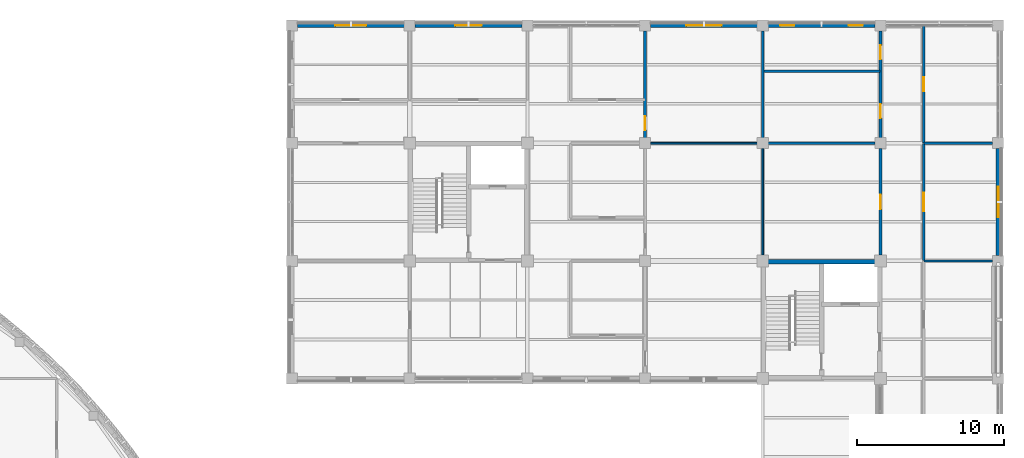
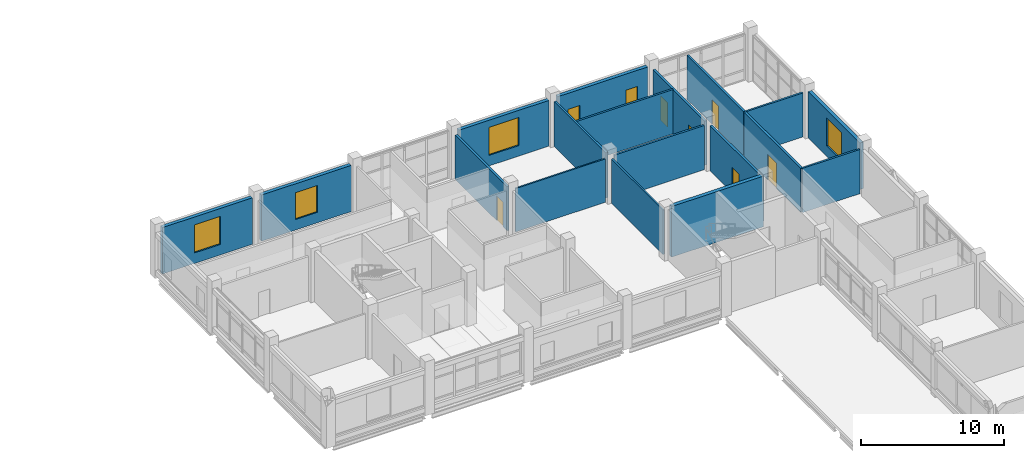
# One storey, part 97 of 121: 18 walls, 6 doors, 6 windows, 12 openings.
"""IFC4 building model written with IfcOpenShell, lengths in metres."""

import ifcopenshell
import ifcopenshell.guid

model = None  # the IFC model being written
_history = None  # IfcOwnerHistory: only IFC2X3 demands one
_inside = {}  # id of a spatial element -> (the spatial element, [elements in it])
_under = {}  # id of a project, library or spatial element -> (it, [spatial elements below it])
_declared = {}  # id of a project -> (the project, [libraries it declares])
_typed = {}  # id of a type object -> (the type object, [elements of that type])
_made_of = {}  # id of a material, layer set ... -> (it, [elements and type objects made of it])


def new_model(schema):
    """Start an empty IFC model of exactly this schema.

    Asked for "IFC4X3", IfcOpenShell would pick the latest addendum, in which some entities
    have other attributes; the version numbers below select the first issue.
    IFC2X3 requires an IfcOwnerHistory on every rooted entity: one is made here for all.
    """
    global model, _history
    if schema == "IFC4X3":
        model = ifcopenshell.file(schema_version=(4, 3, 0, 0))
    else:
        model = ifcopenshell.file(schema=schema)
    _inside.clear()
    _under.clear()
    _declared.clear()
    _typed.clear()
    _made_of.clear()
    _history = None
    if model.schema == "IFC2X3":
        org = make("IfcOrganization", Name="unknown")
        user = make(
            "IfcPersonAndOrganization",
            ThePerson=make("IfcPerson", FamilyName="unknown"),
            TheOrganization=org,
        )
        app = make(
            "IfcApplication",
            ApplicationDeveloper=org,
            Version="unknown",
            ApplicationFullName="unknown",
            ApplicationIdentifier="unknown",
        )
        _history = make(
            "IfcOwnerHistory",
            OwningUser=user,
            OwningApplication=app,
            ChangeAction="ADDED",
            CreationDate=0,
        )
    return model


def make(cls, **values):
    """One entity of the class cls with the attributes given. An attribute that is None is left unset."""
    return model.create_entity(
        cls, **{name: value for name, value in values.items() if value is not None}
    )


def rooted(cls, **values):
    """An entity with a GlobalId (a new one), such as an element, a storey or a relation."""
    return make(cls, GlobalId=ifcopenshell.guid.new(), OwnerHistory=_history, **values)


def si_unit(unit_type, name, prefix=None):
    """IfcSIUnit, for example si_unit("LENGTHUNIT", "METRE", prefix="MILLI")."""
    return make("IfcSIUnit", UnitType=unit_type, Prefix=prefix, Name=name)


def derived_unit(unit_type, elements):
    """IfcDerivedUnit: a product of units, each with its exponent."""
    return make(
        "IfcDerivedUnit",
        Elements=[
            make("IfcDerivedUnitElement", Unit=unit, Exponent=power)
            for unit, power in elements
        ],
        UnitType=unit_type,
    )


def assignment(units):
    """IfcUnitAssignment: the units of a project."""
    return None if units is None else make("IfcUnitAssignment", Units=units)


def point(xyz):
    """IfcCartesianPoint."""
    return None if xyz is None else make("IfcCartesianPoint", Coordinates=xyz)


def direction(xyz):
    """IfcDirection."""
    return None if xyz is None else make("IfcDirection", DirectionRatios=xyz)


def frame(location, z_axis=None, x_axis=None):
    """IfcAxis2Placement3D, a coordinate frame: its origin and axes. An axis left out is left unset."""
    return make(
        "IfcAxis2Placement3D",
        Location=point(location),
        Axis=direction(z_axis),
        RefDirection=direction(x_axis),
    )


def frame_2d(location, x_axis=None):
    """IfcAxis2Placement2D, a coordinate frame in the plane: its origin and x axis."""
    return make(
        "IfcAxis2Placement2D", Location=point(location), RefDirection=direction(x_axis)
    )


def origin():
    """The frame at (0, 0, 0) with its axes left unset."""
    return frame((0.0, 0.0, 0.0))


def place(relative_to, where):
    """IfcLocalPlacement: puts the frame where relative to a parent placement (None: the world)."""
    return make(
        "IfcLocalPlacement", PlacementRelTo=relative_to, RelativePlacement=where
    )


def context(
    kind, dimensions, precision=None, world=None, true_north=None, identifier=None
):
    """IfcGeometricRepresentationContext, for example the 3D "Model" context."""
    return make(
        "IfcGeometricRepresentationContext",
        ContextIdentifier=identifier,
        ContextType=kind,
        CoordinateSpaceDimension=dimensions,
        Precision=precision,
        WorldCoordinateSystem=world,
        TrueNorth=true_north,
    )


def subcontext(parent, identifier, kind, view, scale=None):
    """IfcGeometricRepresentationSubContext, for example "Body" below "Model"."""
    return make(
        "IfcGeometricRepresentationSubContext",
        ContextIdentifier=identifier,
        ContextType=kind,
        ParentContext=parent,
        TargetScale=scale,
        TargetView=view,
    )


def project(units=None, contexts=None):
    """IfcProject with its units and contexts."""
    return rooted(
        "IfcProject",
        Name="project",
        RepresentationContexts=contexts,
        UnitsInContext=assignment(units),
    )


def spatial(cls, under=None, at=None, **own):
    """A site, building, storey or space (cls), placed at a placement, below another one or the project."""
    s = rooted(cls, ObjectPlacement=at, **own)
    if under is not None:
        _under.setdefault(under.id(), (under, []))[1].append(s)
    return s


def profile(cls, at=None, kind="AREA", **sizes):
    """A parametric profile (cls). Its sizes go by their IFC names, for example OverallWidth=200.0."""
    return make(cls, ProfileType=kind, Position=at, **sizes)


def rectangle(**sizes):
    """IfcRectangleProfileDef."""
    return profile("IfcRectangleProfileDef", **sizes)


def extrude(swept, where, along, depth):
    """IfcExtrudedAreaSolid: the profile swept, set in the frame where, extruded along a direction by depth."""
    return make(
        "IfcExtrudedAreaSolid",
        SweptArea=swept,
        Position=where,
        ExtrudedDirection=direction(along),
        Depth=depth,
    )


def shape(context_of_items, identifier, shape_type, items):
    """IfcShapeRepresentation: the items that make up one representation, for example the "Body"."""
    return make(
        "IfcShapeRepresentation",
        ContextOfItems=context_of_items,
        RepresentationIdentifier=identifier,
        RepresentationType=shape_type,
        Items=items,
    )


def material(Name=None, Category=None):
    """IfcMaterial."""
    return make("IfcMaterial", Name=Name, Category=Category)


def layer(
    of_material, thickness, ventilated=None, Name=None, Category=None, Priority=None
):
    """IfcMaterialLayer: one layer of a wall or slab, of a material (None: an air gap)."""
    return make(
        "IfcMaterialLayer",
        Material=of_material,
        LayerThickness=thickness,
        IsVentilated=ventilated,
        Name=Name,
        Category=Category,
        Priority=Priority,
    )


def layer_set(layers, Name=None):
    """IfcMaterialLayerSet."""
    return make("IfcMaterialLayerSet", MaterialLayers=layers, LayerSetName=Name)


def made_of(thing, what):
    """Note that an element or type object is made of a material, layer set ...; save() writes the relation."""
    if what is not None:
        _made_of.setdefault(what.id(), (what, []))[1].append(thing)
    return thing


def type_object(cls, material=None, **own):
    """A type object (cls), such as IfcWallType, which elements share."""
    return made_of(rooted(cls, **own), material)


def element(
    cls,
    number,
    at=None,
    inside=None,
    cuts=None,
    type_object=None,
    material=None,
    context=None,
    identifier="Body",
    shape_type=None,
    held_by="IfcProductDefinitionShape",
    body=None,
    shapes=None,
    **own,
):
    """One element of the class cls, such as IfcWall. Its Tag is "e" and its number.

    at: its placement. inside: the storey or other place that contains it. cuts: it is an
    opening in that element (IfcRelVoidsElement). A single representation is given by context,
    identifier, shape_type and body (its items); several are given by shapes. held_by: the class
    of the entity that holds the representations. save() writes the other relations.
    """
    e = rooted(cls, Tag="e%d" % number, ObjectPlacement=at, **own)
    if body is not None:
        shapes = [shape(context, identifier, shape_type, body)]
    if shapes is not None:
        e.Representation = make(held_by, Representations=shapes)
    if inside is not None:
        _inside.setdefault(inside.id(), (inside, []))[1].append(e)
    if cuts is not None:
        rooted(
            "IfcRelVoidsElement", RelatingBuildingElement=cuts, RelatedOpeningElement=e
        )
    if type_object is not None:
        _typed.setdefault(type_object.id(), (type_object, []))[1].append(e)
    return made_of(e, material)


def fill(opening, filler):
    """IfcRelFillsElement: the door or window that sits in an opening."""
    return rooted(
        "IfcRelFillsElement",
        RelatingOpeningElement=opening,
        RelatedBuildingElement=filler,
    )


def aggregate(whole, parts):
    """IfcRelAggregates: a whole, such as a stair, and the parts it consists of."""
    return rooted("IfcRelAggregates", RelatingObject=whole, RelatedObjects=parts)


def save(model, path):
    """Write the relations noted so far, then the file.

    IfcRelAggregates (storeys below a building ...), IfcRelContainedInSpatialStructure (elements
    in a storey), IfcRelDefinesByType, IfcRelAssociatesMaterial and IfcRelDeclares: one each for
    every whole, place, type object, material and project.
    """
    for whole, parts in _under.values():
        aggregate(whole, parts)
    for where, things in _inside.values():
        rooted(
            "IfcRelContainedInSpatialStructure",
            RelatedElements=things,
            RelatingStructure=where,
        )
    for kind, things in _typed.values():
        rooted("IfcRelDefinesByType", RelatedObjects=things, RelatingType=kind)
    for what, things in _made_of.values():
        rooted("IfcRelAssociatesMaterial", RelatedObjects=things, RelatingMaterial=what)
    for by, libraries in _declared.values():
        rooted("IfcRelDeclares", RelatingContext=by, RelatedDefinitions=libraries)
    model.write(path)


model = new_model("IFC4")

# Units and contexts
model_context = context("Model", 3, precision=1e-05, world=origin(), true_north=direction((0.0, 1.0)))
body_context = subcontext(model_context, "Body", "Model", "MODEL_VIEW")
ifc_project = project(units=[si_unit("LENGTHUNIT", "METRE"), si_unit("AREAUNIT", "SQUARE_METRE"), si_unit("VOLUMEUNIT", "CUBIC_METRE"), si_unit("PLANEANGLEUNIT", "RADIAN"), si_unit("MASSUNIT", "GRAM", prefix="KILO"), derived_unit("THERMALTRANSMITTANCEUNIT", [(si_unit("MASSUNIT", "GRAM", prefix="KILO"), 1), (si_unit("TIMEUNIT", "SECOND"), -3), (si_unit("THERMODYNAMICTEMPERATUREUNIT", "KELVIN"), -1)])], contexts=[model_context])

# Site, building, storey
site_placement = place(None, origin())
site = spatial("IfcSite", under=ifc_project, at=site_placement, CompositionType="ELEMENT")
building_placement = place(site_placement, origin())
building = spatial("IfcBuilding", under=site, at=building_placement, Name="Veyamyaing Civic Hall", CompositionType="ELEMENT")
storey_placement = place(building_placement, frame((0.0, 0.0, 5.280029296875)))
storey = spatial("IfcBuildingStorey", under=building, at=storey_placement, Name="L01", CompositionType="ELEMENT", Elevation=5.280029296875)

# Wall, opening, window
ifc_material_1 = material(Name="Precast concrete C40/50", Category="concrete")
ifc_layer_1 = layer(ifc_material_1, 0.280029296875, Name="Precast concrete C40/50")
ifc_layer_set_1 = layer_set([ifc_layer_1], Name="Precast concrete C40/50")
wall_type_1 = type_object("IfcWallType", Name="WT-04", PredefinedType="SOLIDWALL", material=ifc_layer_set_1)
wall_1_placement = place(storey_placement, frame((128.360107421875, 112.0, 0.0), z_axis=(0.0, 0.0, 1.0), x_axis=(1.0, 0.0, 0.0)))
wall_1 = element("IfcWall", 1, at=wall_1_placement, inside=storey, type_object=wall_type_1, Name="Exterior facade wall WT-04 L01 N 17.14", PredefinedType="SOLIDWALL", context=body_context, shape_type="SweptSolid", body=[
    extrude(rectangle(XDim=7.27978515625, YDim=0.280029296875, at=frame_2d((3.639892578125, 0.0))), origin(), (0.0, 0.0, 1.0), 3.97705078125),
])
opening_1_placement = place(wall_1_placement, frame((2.590087890625, 0.0, 0.89990234375)))
opening_1 = element("IfcOpeningElement", 2, at=opening_1_placement, cuts=wall_1, Name="Opening W-05", PredefinedType="OPENING", context=body_context, shape_type="SweptSolid", body=[
    extrude(rectangle(XDim=2.10009765625, YDim=2.39990234375, at=frame_2d((1.050048828125, 1.199951171875))), frame((0.0, 0.14990234375, 0.0), z_axis=(0.0, -1.0, 0.0), x_axis=(1.0, 0.0, 0.0)), (0.0, 0.0, 1.0), 0.300048828125),
])
ifc_material_2 = material(Name="Low-E insulated glass", Category="glass")
window_type_1 = type_object("IfcWindowType", Name="W-05", PartitioningType="SINGLE_PANEL", PredefinedType="WINDOW", material=ifc_material_2)
window_1_placement = place(opening_1_placement, origin())
window_1 = element("IfcWindow", 3, at=window_1_placement, inside=storey, type_object=window_type_1, Name="Facade window W-05 L01 N 17.14", OverallHeight=2.39990234375, OverallWidth=2.10009765625, PartitioningType="SINGLE_PANEL", PredefinedType="WINDOW", context=body_context, shape_type="SweptSolid", body=[
    extrude(rectangle(XDim=2.10009765625, YDim=2.39990234375, at=frame_2d((1.050048828125, 1.199951171875))), frame((0.0, 0.030029296875, 0.0), z_axis=(0.0, -1.0, 0.0), x_axis=(1.0, 0.0, 0.0)), (0.0, 0.0, 1.0), 0.06005859375),
])
fill(opening_1, window_1)

wall_2_placement = place(storey_placement, frame((136.360107421875, 112.0, 0.0), z_axis=(0.0, 0.0, 1.0), x_axis=(1.0, 0.0, 0.0)))
wall_2 = element("IfcWall", 4, at=wall_2_placement, inside=storey, type_object=wall_type_1, Name="Exterior facade wall WT-04 L01 N 18.14", PredefinedType="SOLIDWALL", context=body_context, shape_type="SweptSolid", body=[
    extrude(rectangle(XDim=7.27978515625, YDim=0.280029296875, at=frame_2d((3.639892578125, 0.0))), origin(), (0.0, 0.0, 1.0), 3.955078125),
])
opening_2_placement = place(wall_2_placement, frame((2.739990234375, 0.0, 0.89990234375)))
opening_2 = element("IfcOpeningElement", 5, at=opening_2_placement, cuts=wall_2, Name="Opening W-06", PredefinedType="OPENING", context=body_context, shape_type="SweptSolid", body=[
    extrude(rectangle(XDim=1.800048828125, YDim=2.300048828125, at=frame_2d((0.89990234375, 1.14990234375))), frame((0.0, 0.14990234375, 0.0), z_axis=(0.0, -1.0, 0.0), x_axis=(1.0, 0.0, 0.0)), (0.0, 0.0, 1.0), 0.300048828125),
])
window_type_2 = type_object("IfcWindowType", Name="W-06", PartitioningType="SINGLE_PANEL", PredefinedType="WINDOW", material=ifc_material_2)
window_2_placement = place(opening_2_placement, origin())
window_2 = element("IfcWindow", 6, at=window_2_placement, inside=storey, type_object=window_type_2, Name="Facade window W-06 L01 N 18.14", OverallHeight=2.300048828125, OverallWidth=1.800048828125, PartitioningType="SINGLE_PANEL", PredefinedType="WINDOW", context=body_context, shape_type="SweptSolid", body=[
    extrude(rectangle(XDim=1.800048828125, YDim=2.300048828125, at=frame_2d((0.89990234375, 1.14990234375))), frame((0.0, 0.030029296875, 0.0), z_axis=(0.0, -1.0, 0.0), x_axis=(1.0, 0.0, 0.0)), (0.0, 0.0, 1.0), 0.06005859375),
])
fill(opening_2, window_2)

wall_3_placement = place(storey_placement, frame((152.360107421875, 112.0, 0.0), z_axis=(0.0, 0.0, 1.0), x_axis=(1.0, 0.0, 0.0)))
wall_3 = element("IfcWall", 7, at=wall_3_placement, inside=storey, type_object=wall_type_1, Name="Exterior facade wall WT-04 L01 N 20.14", PredefinedType="SOLIDWALL", context=body_context, shape_type="SweptSolid", body=[
    extrude(rectangle(XDim=7.27978515625, YDim=0.280029296875, at=frame_2d((3.639892578125, 0.0))), origin(), (0.0, 0.0, 1.0), 3.9140625),
])
opening_3_placement = place(wall_3_placement, frame((2.43994140625, 0.0, 0.89990234375)))
opening_3 = element("IfcOpeningElement", 8, at=opening_3_placement, cuts=wall_3, Name="Opening W-04", PredefinedType="OPENING", context=body_context, shape_type="SweptSolid", body=[
    extrude(rectangle(XDim=2.39990234375, YDim=2.39990234375, at=frame_2d((1.199951171875, 1.199951171875))), frame((0.0, 0.14990234375, 0.0), z_axis=(0.0, -1.0, 0.0), x_axis=(1.0, 0.0, 0.0)), (0.0, 0.0, 1.0), 0.300048828125),
])
window_type_3 = type_object("IfcWindowType", Name="W-04", PartitioningType="SINGLE_PANEL", PredefinedType="WINDOW", material=ifc_material_2)
window_3_placement = place(opening_3_placement, origin())
window_3 = element("IfcWindow", 9, at=window_3_placement, inside=storey, type_object=window_type_3, Name="Facade window W-04 L01 N 20.14", OverallHeight=2.39990234375, OverallWidth=2.39990234375, PartitioningType="SINGLE_PANEL", PredefinedType="WINDOW", context=body_context, shape_type="SweptSolid", body=[
    extrude(rectangle(XDim=2.39990234375, YDim=2.39990234375, at=frame_2d((1.199951171875, 1.199951171875))), frame((0.0, 0.030029296875, 0.0), z_axis=(0.0, -1.0, 0.0), x_axis=(1.0, 0.0, 0.0)), (0.0, 0.0, 1.0), 0.06005859375),
])
fill(opening_3, window_3)

# Wall, openings, windows
wall_4_placement = place(storey_placement, frame((160.360107421875, 112.0, 0.0), z_axis=(0.0, 0.0, 1.0), x_axis=(1.0, 0.0, 0.0)))
wall_4 = element("IfcWall", 10, at=wall_4_placement, inside=storey, type_object=wall_type_1, Name="Exterior facade wall WT-04 L01 N 21.14", PredefinedType="SOLIDWALL", context=body_context, shape_type="SweptSolid", body=[
    extrude(rectangle(XDim=7.27978515625, YDim=0.280029296875, at=frame_2d((3.639892578125, 0.0))), origin(), (0.0, 0.0, 1.0), 3.97705078125),
])
opening_4_placement = place(wall_4_placement, frame((0.83544921875, 0.0, 1.199951171875)))
opening_4 = element("IfcOpeningElement", 11, at=opening_4_placement, cuts=wall_4, Name="Opening W-20", PredefinedType="OPENING", context=body_context, shape_type="SweptSolid", body=[
    extrude(rectangle(XDim=0.949951171875, YDim=1.39990234375, at=frame_2d((0.47509765625, 0.699951171875))), frame((0.0, 0.14990234375, 0.0), z_axis=(0.0, -1.0, 0.0), x_axis=(1.0, 0.0, 0.0)), (0.0, 0.0, 1.0), 0.300048828125),
])
opening_5_placement = place(wall_4_placement, frame((5.49462890625, 0.0, 1.199951171875)))
opening_5 = element("IfcOpeningElement", 12, at=opening_5_placement, cuts=wall_4, Name="Opening W-20", PredefinedType="OPENING", context=body_context, shape_type="SweptSolid", body=[
    extrude(rectangle(XDim=0.949951171875, YDim=1.39990234375, at=frame_2d((0.47509765625, 0.699951171875))), frame((0.0, 0.14990234375, 0.0), z_axis=(0.0, -1.0, 0.0), x_axis=(1.0, 0.0, 0.0)), (0.0, 0.0, 1.0), 0.300048828125),
])
window_type_4 = type_object("IfcWindowType", Name="W-20", PartitioningType="SINGLE_PANEL", PredefinedType="WINDOW", material=ifc_material_2)
window_4_placement = place(opening_4_placement, origin())
window_4 = element("IfcWindow", 13, at=window_4_placement, inside=storey, type_object=window_type_4, Name="Facade window W-20 L01 N 21.14.1", OverallHeight=1.39990234375, OverallWidth=0.949951171875, PartitioningType="SINGLE_PANEL", PredefinedType="WINDOW", context=body_context, shape_type="SweptSolid", body=[
    extrude(rectangle(XDim=0.949951171875, YDim=1.39990234375, at=frame_2d((0.47509765625, 0.699951171875))), frame((0.0, 0.030029296875, 0.0), z_axis=(0.0, -1.0, 0.0), x_axis=(1.0, 0.0, 0.0)), (0.0, 0.0, 1.0), 0.06005859375),
])
fill(opening_4, window_4)
window_5_placement = place(opening_5_placement, origin())
window_5 = element("IfcWindow", 14, at=window_5_placement, inside=storey, type_object=window_type_4, Name="Facade window W-20 L01 N 21.14.2", OverallHeight=1.39990234375, OverallWidth=0.949951171875, PartitioningType="SINGLE_PANEL", PredefinedType="WINDOW", context=body_context, shape_type="SweptSolid", body=[
    extrude(rectangle(XDim=0.949951171875, YDim=1.39990234375, at=frame_2d((0.47509765625, 0.699951171875))), frame((0.0, 0.030029296875, 0.0), z_axis=(0.0, -1.0, 0.0), x_axis=(1.0, 0.0, 0.0)), (0.0, 0.0, 1.0), 0.06005859375),
])
fill(opening_5, window_5)

# Wall, opening, window
wall_5_placement = place(storey_placement, frame((176.0, 96.360107421875, 0.0), z_axis=(0.0, 0.0, 1.0), x_axis=(0.0, 1.0, 0.0)))
wall_5 = element("IfcWall", 15, at=wall_5_placement, inside=storey, type_object=wall_type_1, Name="Exterior facade wall WT-04 L01 E 22.13", PredefinedType="SOLIDWALL", context=body_context, shape_type="SweptSolid", body=[
    extrude(rectangle(XDim=7.27978515625, YDim=0.280029296875, at=frame_2d((3.639892578125, 0.0))), origin(), (0.0, 0.0, 1.0), 3.97705078125),
])
opening_6_placement = place(wall_5_placement, frame((2.590087890625, 0.0, 0.89990234375)))
opening_6 = element("IfcOpeningElement", 16, at=opening_6_placement, cuts=wall_5, Name="Opening W-05", PredefinedType="OPENING", context=body_context, shape_type="SweptSolid", body=[
    extrude(rectangle(XDim=2.10009765625, YDim=2.39990234375, at=frame_2d((1.050048828125, 1.199951171875))), frame((0.0, 0.14990234375, 0.0), z_axis=(0.0, -1.0, 0.0), x_axis=(1.0, 0.0, 0.0)), (0.0, 0.0, 1.0), 0.300048828125),
])
window_6_placement = place(opening_6_placement, origin())
window_6 = element("IfcWindow", 17, at=window_6_placement, inside=storey, type_object=window_type_1, Name="Facade window W-05 L01 E 22.13", OverallHeight=2.39990234375, OverallWidth=2.10009765625, PartitioningType="SINGLE_PANEL", PredefinedType="WINDOW", context=body_context, shape_type="SweptSolid", body=[
    extrude(rectangle(XDim=2.10009765625, YDim=2.39990234375, at=frame_2d((1.050048828125, 1.199951171875))), frame((0.0, 0.030029296875, 0.0), z_axis=(0.0, -1.0, 0.0), x_axis=(1.0, 0.0, 0.0)), (0.0, 0.0, 1.0), 0.06005859375),
])
fill(opening_6, window_6)

# Wall
ifc_material_3 = material(Name="Concrete C40/50", Category="concrete")
ifc_layer_2 = layer(ifc_material_3, 0.300048828125, Name="Concrete C40/50")
ifc_layer_set_2 = layer_set([ifc_layer_2], Name="Concrete C40/50")
wall_type_2 = type_object("IfcWallType", Name="WT-05", PredefinedType="SHEAR", material=ifc_layer_set_2)
wall_6_placement = place(storey_placement, frame((160.2900390625, 95.949951171875, 0.0), z_axis=(0.0, 0.0, 1.0), x_axis=(1.0, 0.0, 0.0)))
element("IfcWall", 18, at=wall_6_placement, inside=storey, type_object=wall_type_2, Name="Core shear wall WT-05 CORE-3 L01.N", PredefinedType="SHEAR", context=body_context, shape_type="SweptSolid", body=[
    extrude(rectangle(XDim=7.419921875, YDim=0.300048828125, at=frame_2d((3.7099609375, 0.0))), origin(), (0.0, 0.0, 1.0), 4.3349609375),
])

# Wall, opening, door
ifc_material_4 = material(Name="Gypsum board on acoustic steel stud", Category="steel")
ifc_layer_3 = layer(ifc_material_4, 0.175048828125, Name="Gypsum board on acoustic steel stud")
ifc_layer_set_3 = layer_set([ifc_layer_3], Name="Gypsum board on acoustic steel stud")
wall_type_3 = type_object("IfcWallType", Name="WT-07", PredefinedType="PARTITIONING", material=ifc_layer_set_3)
wall_7_placement = place(storey_placement, frame((170.949951171875, 104.02001953125, 0.0), z_axis=(0.0, 0.0, 1.0), x_axis=(0.0, 1.0, 0.0)))
wall_7 = element("IfcWall", 19, at=wall_7_placement, inside=storey, type_object=wall_type_3, Name="Corridor gallery partition WT-07 L01.87.1", PredefinedType="PARTITIONING", context=body_context, shape_type="SweptSolid", body=[
    extrude(rectangle(XDim=7.9599609375, YDim=0.175048828125, at=frame_2d((3.97998046875, 0.0))), origin(), (0.0, 0.0, 1.0), 3.77099609375),
])
opening_7_placement = place(wall_7_placement, frame((3.510009765625, 0.0, 0.0)))
opening_7 = element("IfcOpeningElement", 20, at=opening_7_placement, cuts=wall_7, Name="Opening D-30", PredefinedType="OPENING", context=body_context, shape_type="SweptSolid", body=[
    extrude(rectangle(XDim=0.93994140625, YDim=2.1201171875, at=frame_2d((0.469970703125, 1.06005859375))), frame((0.0, 0.097412109375, 0.0), z_axis=(0.0, -1.0, 0.0), x_axis=(1.0, 0.0, 0.0)), (0.0, 0.0, 1.0), 0.195068359375),
])
ifc_material_5 = material(Name="Teak-veneered acoustic timber", Category="wood")
door_type_1 = type_object("IfcDoorType", Name="D-30", OperationType="NOTDEFINED", PredefinedType="DOOR", material=ifc_material_5)
door_1_placement = place(opening_7_placement, frame((0.93994140625, 0.0, 0.0), z_axis=(0.0, 0.0, 1.0), x_axis=(-1.0, 0.0, 0.0)))
door_1 = element("IfcDoor", 21, at=door_1_placement, inside=storey, type_object=door_type_1, Name="Gallery office door D-30 L01.87", OperationType="SINGLE_SWING_LEFT", OverallHeight=2.1201171875, OverallWidth=0.93994140625, PredefinedType="DOOR", context=body_context, shape_type="SweptSolid", body=[
    extrude(rectangle(XDim=0.93994140625, YDim=2.1201171875, at=frame_2d((0.469970703125, 1.06005859375))), frame((0.0, 0.02490234375, 0.0), z_axis=(0.0, -1.0, 0.0), x_axis=(1.0, 0.0, 0.0)), (0.0, 0.0, 1.0), 0.050048828125),
])
fill(opening_7, door_1)

# Walls
ifc_material_6 = material(Name="Gypsum board on steel stud", Category="steel")
ifc_layer_4 = layer(ifc_material_6, 0.14990234375, Name="Gypsum board on steel stud")
ifc_layer_set_4 = layer_set([ifc_layer_4], Name="Gypsum board on steel stud")
wall_type_4 = type_object("IfcWallType", Name="WT-08", PredefinedType="PARTITIONING", material=ifc_layer_set_4)
wall_8_placement = place(storey_placement, frame((170.949951171875, 96.0, 0.0), z_axis=(0.0, 0.0, 1.0), x_axis=(1.0, 0.0, 0.0)))
element("IfcWall", 22, at=wall_8_placement, inside=storey, type_object=wall_type_4, Name="Gallery office end partition WT-08 L01.85.2", PredefinedType="PARTITIONING", context=body_context, shape_type="SweptSolid", body=[
    extrude(rectangle(XDim=4.6650390625, YDim=0.14990234375, at=frame_2d((2.33251953125, 0.0))), origin(), (0.0, 0.0, 1.0), 3.786865234375),
])
wall_9_placement = place(storey_placement, frame((170.949951171875, 104.0, 0.0), z_axis=(0.0, 0.0, 1.0), x_axis=(1.0, 0.0, 0.0)))
element("IfcWall", 23, at=wall_9_placement, inside=storey, type_object=wall_type_4, Name="Gallery office end partition WT-08 L01.86.2", PredefinedType="PARTITIONING", context=body_context, shape_type="SweptSolid", body=[
    extrude(rectangle(XDim=4.6650390625, YDim=0.14990234375, at=frame_2d((2.33251953125, 0.0))), origin(), (0.0, 0.0, 1.0), 3.77099609375),
])
ifc_material_7 = material(Name="Cement-board wet-area partition")
ifc_layer_5 = layer(ifc_material_7, 0.159912109375, Name="Cement-board wet-area partition")
ifc_layer_set_5 = layer_set([ifc_layer_5], Name="Cement-board wet-area partition")
wall_type_5 = type_object("IfcWallType", Name="WT-14", PredefinedType="PARTITIONING", material=ifc_layer_set_5)
wall_10_placement = place(storey_placement, frame((160.0, 104.364990234375, 0.0), z_axis=(0.0, 0.0, 1.0), x_axis=(0.0, 1.0, 0.0)))
element("IfcWall", 24, at=wall_10_placement, inside=storey, type_object=wall_type_5, Name="Interior partition wall WT-14 L01.105", PredefinedType="PARTITIONING", context=body_context, shape_type="SweptSolid", body=[
    extrude(rectangle(XDim=7.27001953125, YDim=0.159912109375, at=frame_2d((3.635009765625, 0.0))), origin(), (0.0, 0.0, 1.0), 3.85693359375),
])
wall_11_placement = place(storey_placement, frame((160.364990234375, 104.0, 0.0), z_axis=(0.0, 0.0, 1.0), x_axis=(1.0, 0.0, 0.0)))
element("IfcWall", 25, at=wall_11_placement, inside=storey, type_object=wall_type_5, Name="Interior partition wall WT-14 L01.111", PredefinedType="PARTITIONING", context=body_context, shape_type="SweptSolid", body=[
    extrude(rectangle(XDim=7.27001953125, YDim=0.159912109375, at=frame_2d((3.635009765625, 0.0))), origin(), (0.0, 0.0, 1.0), 3.786865234375),
])
wall_12_placement = place(storey_placement, frame((160.02001953125, 108.89990234375, 0.0), z_axis=(0.0, 0.0, 1.0), x_axis=(1.0, 0.0, 0.0)))
element("IfcWall", 26, at=wall_12_placement, inside=storey, type_object=wall_type_5, Name="Sub-bay room partition WT-14 L01.4", PredefinedType="PARTITIONING", context=body_context, shape_type="SweptSolid", body=[
    extrude(rectangle(XDim=7.9599609375, YDim=0.159912109375, at=frame_2d((3.97998046875, 0.0))), origin(), (0.0, 0.0, 1.0), 3.781005859375),
])
ifc_layer_6 = layer(ifc_material_6, 0.135009765625, Name="Gypsum board on steel stud")
ifc_layer_set_6 = layer_set([ifc_layer_6], Name="Gypsum board on steel stud")
wall_type_6 = type_object("IfcWallType", Name="WT-15", PredefinedType="PARTITIONING", material=ifc_layer_set_6)
wall_13_placement = place(storey_placement, frame((160.0, 96.389892578125, 0.0), z_axis=(0.0, 0.0, 1.0), x_axis=(0.0, 1.0, 0.0)))
element("IfcWall", 27, at=wall_13_placement, inside=storey, type_object=wall_type_6, Name="Interior partition wall WT-15 L01.103", PredefinedType="PARTITIONING", context=body_context, shape_type="SweptSolid", body=[
    extrude(rectangle(XDim=7.2451171875, YDim=0.135009765625, at=frame_2d((3.62255859375, 0.0))), origin(), (0.0, 0.0, 1.0), 3.786865234375),
])
ifc_layer_7 = layer(ifc_material_6, 0.1201171875, Name="Gypsum board on steel stud")
ifc_layer_set_7 = layer_set([ifc_layer_7], Name="Gypsum board on steel stud")
wall_type_7 = type_object("IfcWallType", Name="WT-16", PredefinedType="PARTITIONING", material=ifc_layer_set_7)
wall_14_placement = place(storey_placement, frame((152.364990234375, 104.0, 0.0), z_axis=(0.0, 0.0, 1.0), x_axis=(1.0, 0.0, 0.0)))
element("IfcWall", 28, at=wall_14_placement, inside=storey, type_object=wall_type_7, Name="Interior partition wall WT-16 L01.104", PredefinedType="PARTITIONING", context=body_context, shape_type="SweptSolid", body=[
    extrude(rectangle(XDim=7.27001953125, YDim=0.1201171875, at=frame_2d((3.635009765625, 0.0))), origin(), (0.0, 0.0, 1.0), 3.7119140625),
])

# Wall, opening, door
ifc_material_8 = material(Name="Gypsum board on double acoustic stud")
ifc_layer_8 = layer(ifc_material_8, 0.18505859375, Name="Gypsum board on double acoustic stud")
ifc_layer_set_8 = layer_set([ifc_layer_8], Name="Gypsum board on double acoustic stud")
wall_type_8 = type_object("IfcWallType", Name="WT-19", PredefinedType="PARTITIONING", material=ifc_layer_set_8)
wall_15_placement = place(storey_placement, frame((170.949951171875, 96.02001953125, 0.0), z_axis=(0.0, 0.0, 1.0), x_axis=(0.0, 1.0, 0.0)))
wall_15 = element("IfcWall", 29, at=wall_15_placement, inside=storey, type_object=wall_type_8, Name="Corridor gallery partition WT-19 L01.86.1", PredefinedType="PARTITIONING", context=body_context, shape_type="SweptSolid", body=[
    extrude(rectangle(XDim=7.9599609375, YDim=0.18505859375, at=frame_2d((3.97998046875, 0.0))), origin(), (0.0, 0.0, 1.0), 3.77099609375),
])
opening_8_placement = place(wall_15_placement, frame((3.35498046875, 0.0, 0.0)))
opening_8 = element("IfcOpeningElement", 30, at=opening_8_placement, cuts=wall_15, Name="Opening D-29", PredefinedType="OPENING", context=body_context, shape_type="SweptSolid", body=[
    extrude(rectangle(XDim=1.25, YDim=2.179931640625, at=frame_2d((0.625, 1.08984375))), frame((0.0, 0.1025390625, 0.0), z_axis=(0.0, -1.0, 0.0), x_axis=(1.0, 0.0, 0.0)), (0.0, 0.0, 1.0), 0.205078125),
])
door_type_2 = type_object("IfcDoorType", Name="D-29", OperationType="NOTDEFINED", PredefinedType="DOOR", material=ifc_material_5)
door_2_placement = place(opening_8_placement, frame((1.25, 0.0, 0.0), z_axis=(0.0, 0.0, 1.0), x_axis=(-1.0, 0.0, 0.0)))
door_2 = element("IfcDoor", 31, at=door_2_placement, inside=storey, type_object=door_type_2, Name="Gallery office door D-29 L01.86", OperationType="SINGLE_SWING_RIGHT", OverallHeight=2.179931640625, OverallWidth=1.25, PredefinedType="DOOR", context=body_context, shape_type="SweptSolid", body=[
    extrude(rectangle(XDim=1.25, YDim=2.179931640625, at=frame_2d((0.625, 1.08984375))), frame((0.0, 0.02490234375, 0.0), z_axis=(0.0, -1.0, 0.0), x_axis=(1.0, 0.0, 0.0)), (0.0, 0.0, 1.0), 0.050048828125),
])
fill(opening_8, door_2)

wall_16_placement = place(storey_placement, frame((152.0, 104.364990234375, 0.0), z_axis=(0.0, 0.0, 1.0), x_axis=(0.0, 1.0, 0.0)))
wall_16 = element("IfcWall", 32, at=wall_16_placement, inside=storey, type_object=wall_type_8, Name="Interior partition wall WT-19 L01.102", PredefinedType="PARTITIONING", context=body_context, shape_type="SweptSolid", body=[
    extrude(rectangle(XDim=7.27001953125, YDim=0.18505859375, at=frame_2d((3.635009765625, 0.0))), origin(), (0.0, 0.0, 1.0), 3.786865234375),
])
opening_9_placement = place(wall_16_placement, frame((0.52001953125, 0.0, 0.0)))
opening_9 = element("IfcOpeningElement", 33, at=opening_9_placement, cuts=wall_16, Name="Opening D-30", PredefinedType="OPENING", context=body_context, shape_type="SweptSolid", body=[
    extrude(rectangle(XDim=0.93994140625, YDim=2.1201171875, at=frame_2d((0.469970703125, 1.06005859375))), frame((0.0, 0.1025390625, 0.0), z_axis=(0.0, -1.0, 0.0), x_axis=(1.0, 0.0, 0.0)), (0.0, 0.0, 1.0), 0.205078125),
])
door_3_placement = place(opening_9_placement, frame((0.93994140625, 0.0, 0.0), z_axis=(0.0, 0.0, 1.0), x_axis=(-1.0, 0.0, 0.0)))
door_3 = element("IfcDoor", 34, at=door_3_placement, inside=storey, type_object=door_type_1, Name="Interior door D-30 L01.102", OperationType="SINGLE_SWING_LEFT", OverallHeight=2.1201171875, OverallWidth=0.93994140625, PredefinedType="DOOR", context=body_context, shape_type="SweptSolid", body=[
    extrude(rectangle(XDim=0.93994140625, YDim=2.1201171875, at=frame_2d((0.469970703125, 1.06005859375))), frame((0.0, 0.02490234375, 0.0), z_axis=(0.0, -1.0, 0.0), x_axis=(1.0, 0.0, 0.0)), (0.0, 0.0, 1.0), 0.050048828125),
])
fill(opening_9, door_3)

wall_17_placement = place(storey_placement, frame((168.0, 96.389892578125, 0.0), z_axis=(0.0, 0.0, 1.0), x_axis=(0.0, 1.0, 0.0)))
wall_17 = element("IfcWall", 35, at=wall_17_placement, inside=storey, type_object=wall_type_8, Name="Interior partition wall WT-19 L01.110", PredefinedType="PARTITIONING", context=body_context, shape_type="SweptSolid", body=[
    extrude(rectangle(XDim=7.2451171875, YDim=0.18505859375, at=frame_2d((3.62255859375, 0.0))), origin(), (0.0, 0.0, 1.0), 3.85693359375),
])
opening_10_placement = place(wall_17_placement, frame((3.132568359375, 0.0, 0.0)))
opening_10 = element("IfcOpeningElement", 36, at=opening_10_placement, cuts=wall_17, Name="Opening D-14", PredefinedType="OPENING", context=body_context, shape_type="SweptSolid", body=[
    extrude(rectangle(XDim=0.97998046875, YDim=2.14990234375, at=frame_2d((0.489990234375, 1.074951171875))), frame((0.0, 0.1025390625, 0.0), z_axis=(0.0, -1.0, 0.0), x_axis=(1.0, 0.0, 0.0)), (0.0, 0.0, 1.0), 0.205078125),
])
door_type_3 = type_object("IfcDoorType", Name="D-14", OperationType="NOTDEFINED", PredefinedType="DOOR", material=ifc_material_5)
door_4_placement = place(opening_10_placement, origin())
door_4 = element("IfcDoor", 37, at=door_4_placement, inside=storey, type_object=door_type_3, Name="Interior door D-14 L01.110", OperationType="SINGLE_SWING_LEFT", OverallHeight=2.14990234375, OverallWidth=0.97998046875, PredefinedType="DOOR", context=body_context, shape_type="SweptSolid", body=[
    extrude(rectangle(XDim=0.97998046875, YDim=2.14990234375, at=frame_2d((0.489990234375, 1.074951171875))), frame((0.0, 0.02490234375, 0.0), z_axis=(0.0, -1.0, 0.0), x_axis=(1.0, 0.0, 0.0)), (0.0, 0.0, 1.0), 0.050048828125),
])
fill(opening_10, door_4)

# Wall, openings, doors
wall_18_placement = place(storey_placement, frame((168.0, 104.364990234375, 0.0), z_axis=(0.0, 0.0, 1.0), x_axis=(0.0, 1.0, 0.0)))
wall_18 = element("IfcWall", 38, at=wall_18_placement, inside=storey, type_object=wall_type_8, Name="Interior partition wall WT-19 L01.112", PredefinedType="PARTITIONING", context=body_context, shape_type="SweptSolid", body=[
    extrude(rectangle(XDim=7.27001953125, YDim=0.18505859375, at=frame_2d((3.635009765625, 0.0))), origin(), (0.0, 0.0, 1.0), 3.781005859375),
])
opening_11_placement = place(wall_18_placement, frame((1.342529296875, 0.0, 0.0)))
opening_11 = element("IfcOpeningElement", 39, at=opening_11_placement, cuts=wall_18, Name="Opening D-15", PredefinedType="OPENING", context=body_context, shape_type="SweptSolid", body=[
    extrude(rectangle(XDim=0.949951171875, YDim=2.10009765625, at=frame_2d((0.47509765625, 1.050048828125))), frame((0.0, 0.1025390625, 0.0), z_axis=(0.0, -1.0, 0.0), x_axis=(1.0, 0.0, 0.0)), (0.0, 0.0, 1.0), 0.205078125),
])
opening_12_placement = place(wall_18_placement, frame((5.341064453125, 0.0, 0.0)))
opening_12 = element("IfcOpeningElement", 40, at=opening_12_placement, cuts=wall_18, Name="Opening D-15", PredefinedType="OPENING", context=body_context, shape_type="SweptSolid", body=[
    extrude(rectangle(XDim=0.949951171875, YDim=2.10009765625, at=frame_2d((0.47509765625, 1.050048828125))), frame((0.0, 0.1025390625, 0.0), z_axis=(0.0, -1.0, 0.0), x_axis=(1.0, 0.0, 0.0)), (0.0, 0.0, 1.0), 0.205078125),
])
door_type_4 = type_object("IfcDoorType", Name="D-15", OperationType="NOTDEFINED", PredefinedType="DOOR", material=ifc_material_5)
door_5_placement = place(opening_11_placement, origin())
door_5 = element("IfcDoor", 41, at=door_5_placement, inside=storey, type_object=door_type_4, Name="Interior room door D-15 L01.112.1", OperationType="SINGLE_SWING_RIGHT", OverallHeight=2.10009765625, OverallWidth=0.949951171875, PredefinedType="DOOR", context=body_context, shape_type="SweptSolid", body=[
    extrude(rectangle(XDim=0.949951171875, YDim=2.10009765625, at=frame_2d((0.47509765625, 1.050048828125))), frame((0.0, 0.02490234375, 0.0), z_axis=(0.0, -1.0, 0.0), x_axis=(1.0, 0.0, 0.0)), (0.0, 0.0, 1.0), 0.050048828125),
])
fill(opening_11, door_5)
door_6_placement = place(opening_12_placement, origin())
door_6 = element("IfcDoor", 42, at=door_6_placement, inside=storey, type_object=door_type_4, Name="Interior room door D-15 L01.112.2", OperationType="SINGLE_SWING_LEFT", OverallHeight=2.10009765625, OverallWidth=0.949951171875, PredefinedType="DOOR", context=body_context, shape_type="SweptSolid", body=[
    extrude(rectangle(XDim=0.949951171875, YDim=2.10009765625, at=frame_2d((0.47509765625, 1.050048828125))), frame((0.0, 0.02490234375, 0.0), z_axis=(0.0, -1.0, 0.0), x_axis=(1.0, 0.0, 0.0)), (0.0, 0.0, 1.0), 0.050048828125),
])
fill(opening_12, door_6)

save(model, "model.ifc")
